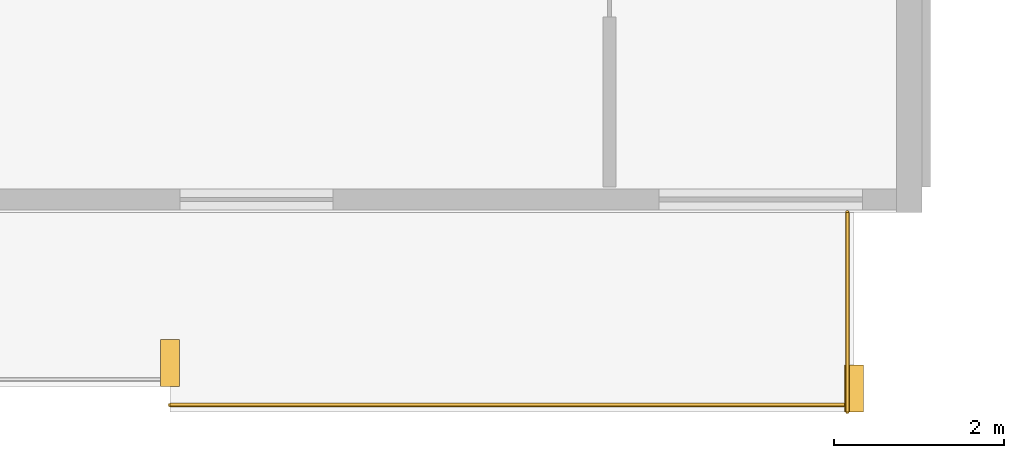
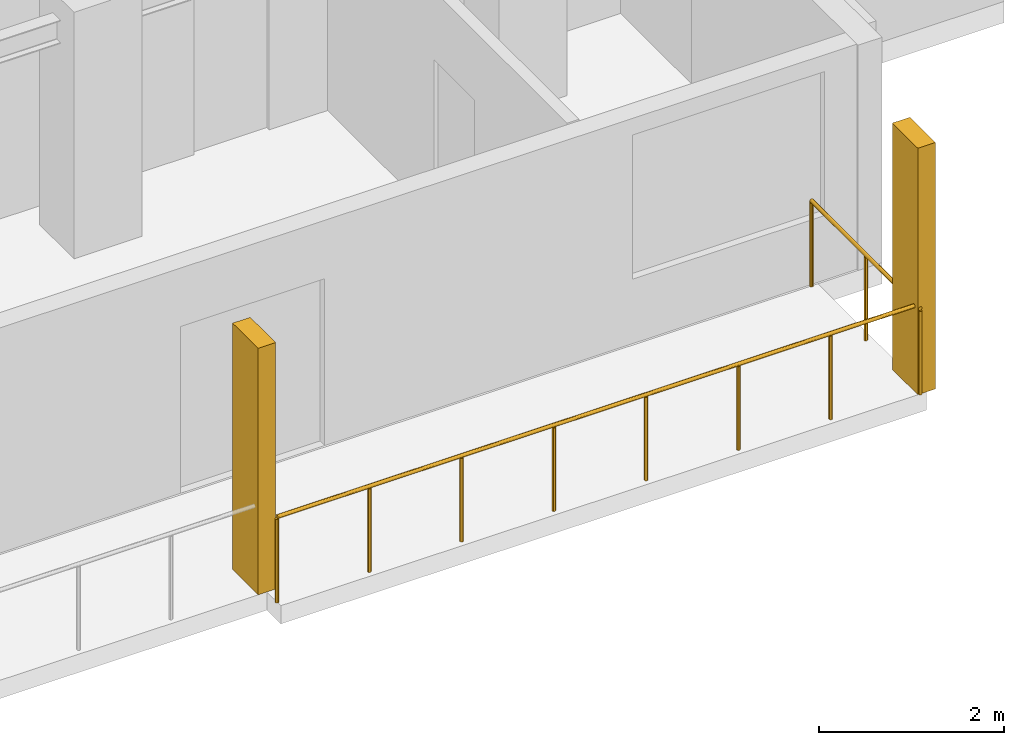
# One storey, part 19 of 21: 2 railings, 2 shading devices.
"""IFC4 building model written with IfcOpenShell, lengths in metres."""

from ifc_helpers import new_model, si_unit, direction, frame, origin, origin_2d, place, context, subcontext, project, spatial, rectangle, circle, extrude, material, type_object, element, save


model = new_model("IFC4")

# Units and contexts
model_context = context("Model", 3, precision=1e-05, world=origin(), true_north=direction((0.0, 1.0)))
body_context = subcontext(model_context, "Body", "Model", "MODEL_VIEW")
ifc_project = project(units=[si_unit("LENGTHUNIT", "METRE"), si_unit("AREAUNIT", "SQUARE_METRE"), si_unit("VOLUMEUNIT", "CUBIC_METRE"), si_unit("PLANEANGLEUNIT", "RADIAN"), si_unit("MASSUNIT", "GRAM", prefix="KILO")], contexts=[model_context])

# Site, building, storey
site_placement = place(None, origin())
site = spatial("IfcSite", under=ifc_project, at=site_placement, CompositionType="ELEMENT")
building_placement = place(site_placement, origin())
building = spatial("IfcBuilding", under=site, at=building_placement, Name="Korimba Cascade Residences", CompositionType="ELEMENT")
storey_placement = place(building_placement, frame((0.0, 0.0, 106.800048828125)))
storey = spatial("IfcBuildingStorey", under=building, at=storey_placement, Name="L30", CompositionType="ELEMENT", Elevation=106.800048828125)

# Railings
ifc_material_1 = material(Name="Laminated Glass and Bronze Balustrade", Category="glass")
railing_type = type_object("IfcRailingType", Name="RLG-LOG-1150", PredefinedType="BALUSTRADE", material=ifc_material_1)
railing_1_placement = place(storey_placement, frame((121.843017578125, -11.27001953125, 0.0)))
element("IfcRailing", 1, at=railing_1_placement, inside=storey, type_object=railing_type, Name="L30 Perimeter Guardrail RLG-L30-T2-LOG-06", PredefinedType="BALUSTRADE", context=body_context, shape_type="SweptSolid", body=[
    extrude(circle(Radius=0.02392578125, at=origin_2d()), frame((0.0, 0.0, 1.1259765625), z_axis=(1.0, 0.0, 0.0), x_axis=(0.0, 1.0, 0.0)), (0.0, 0.0, 1.0), 8.056884765625),
    extrude(circle(Radius=0.02099609375, at=origin_2d()), origin(), (0.0, 0.0, 1.0), 1.101806640625),
    extrude(circle(Radius=0.02099609375, at=origin_2d()), frame((1.15087890625, 0.0, 0.0)), (0.0, 0.0, 1.0), 1.101806640625),
    extrude(circle(Radius=0.02099609375, at=origin_2d()), frame((2.302001953125, 0.0, 0.0)), (0.0, 0.0, 1.0), 1.101806640625),
    extrude(circle(Radius=0.02099609375, at=origin_2d()), frame((3.452880859375, 0.0, 0.0)), (0.0, 0.0, 1.0), 1.101806640625),
    extrude(circle(Radius=0.02099609375, at=origin_2d()), frame((4.60400390625, 0.0, 0.0)), (0.0, 0.0, 1.0), 1.101806640625),
    extrude(circle(Radius=0.02099609375, at=origin_2d()), frame((5.7548828125, 0.0, 0.0)), (0.0, 0.0, 1.0), 1.101806640625),
    extrude(circle(Radius=0.02099609375, at=origin_2d()), frame((6.906005859375, 0.0, 0.0)), (0.0, 0.0, 1.0), 1.101806640625),
    extrude(circle(Radius=0.02099609375, at=origin_2d()), frame((8.056884765625, 0.0, 0.0)), (0.0, 0.0, 1.0), 1.101806640625),
])
railing_2_placement = place(storey_placement, frame((129.820068359375, -11.35009765625, 0.0)))
element("IfcRailing", 2, at=railing_2_placement, inside=storey, type_object=railing_type, Name="L30 Perimeter Guardrail RLG-L30-T2-LOG-07", PredefinedType="BALUSTRADE", context=body_context, shape_type="SweptSolid", body=[
    extrude(circle(Radius=0.02392578125, at=origin_2d()), frame((0.0, 0.0, 1.1259765625), z_axis=(0.0, 1.0, 0.0), x_axis=(-1.0, 0.0, 0.0)), (0.0, 0.0, 1.0), 2.35009765625),
    extrude(circle(Radius=0.02099609375, at=origin_2d()), origin(), (0.0, 0.0, 1.0), 1.101806640625),
    extrude(circle(Radius=0.02099609375, at=origin_2d()), frame((0.0, 1.175048828125, 0.0)), (0.0, 0.0, 1.0), 1.101806640625),
    extrude(circle(Radius=0.02099609375, at=origin_2d()), frame((0.0, 2.35009765625, 0.0)), (0.0, 0.0, 1.0), 1.101806640625),
])

# Shading devices
ifc_material_2 = material(Name="Honed Sandstone Precast Fin", Category="masonry")
shading_device_type = type_object("IfcShadingDeviceType", Name="SHD-FIN-550", PredefinedType="USERDEFINED", material=ifc_material_2)
for number, where, z_axis, x_axis, name in (
    (3, (121.843017578125, -10.77490234375, 0.0), (0.0, 0.0, 1.0), (1.0, 0.0, 0.0), "L30 T2 Warm-Stone Loggia Fin 7"),
    (4, (129.89990234375, -11.074951171875, 0.0), (0.0, 0.0, 1.0), (1.0, 0.0, 0.0), "L30 T2 Warm-Stone Loggia Fin 8"),
):
    element("IfcShadingDevice", number, at=place(storey_placement, frame(where, z_axis=z_axis, x_axis=x_axis)), inside=storey, type_object=shading_device_type, Name=name, ObjectType="FIN", PredefinedType="USERDEFINED", context=body_context, shape_type="SweptSolid", body=[
        extrude(rectangle(XDim=0.219970703125, YDim=0.550048828125, at=origin_2d()), origin(), (0.0, 0.0, 1.0), 3.25),
    ])

save(model, "model.ifc")
